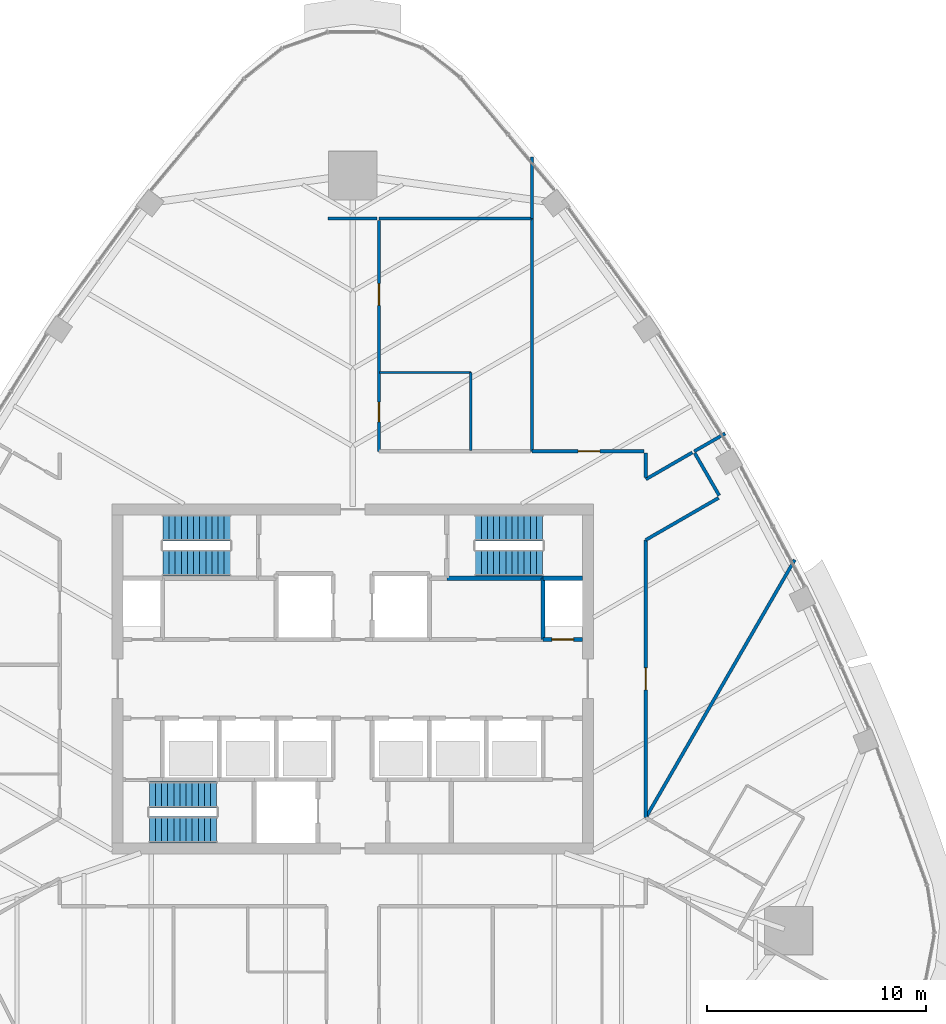
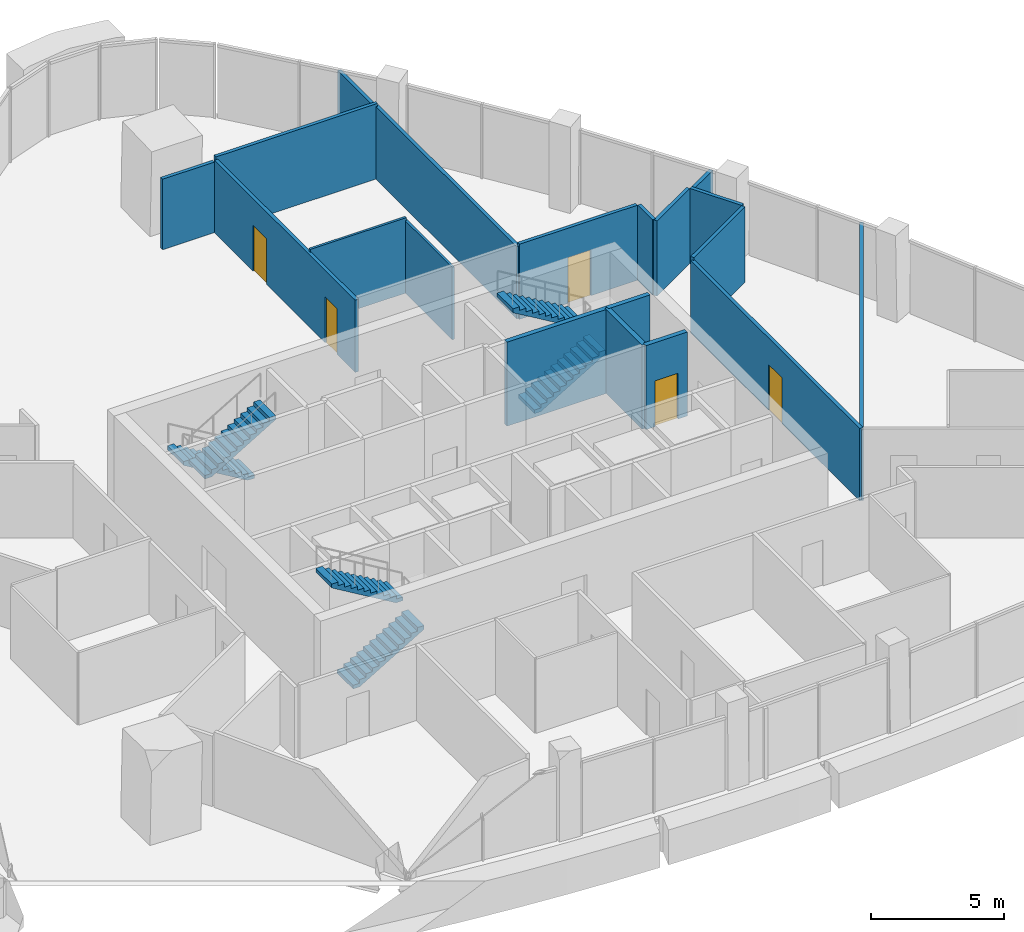
# One storey, part 11 of 15: 19 walls, 6 stair flights, 5 doors, 5 openings, 3 elements without a shape of their own.
"""IFC4 building model written with IfcOpenShell, lengths in metres."""

from ifc_helpers import new_model, si_unit, direction, frame, frame_2d, origin, place, context, subcontext, project, spatial, polyline, rectangle, outline, extrude, material, layer, layer_set, type_object, element, fill, aggregate, save


model = new_model("IFC4")

# Units and contexts
model_context = context("Model", 3, precision=1e-05, world=origin(), true_north=direction((0.0, 1.0)))
body_context = subcontext(model_context, "Body", "Model", "MODEL_VIEW")
ifc_project = project(units=[si_unit("LENGTHUNIT", "METRE"), si_unit("AREAUNIT", "SQUARE_METRE"), si_unit("VOLUMEUNIT", "CUBIC_METRE"), si_unit("PLANEANGLEUNIT", "RADIAN"), si_unit("MASSUNIT", "GRAM", prefix="KILO")], contexts=[model_context])

# Site, building, storey
site_placement = place(None, origin())
site = spatial("IfcSite", under=ifc_project, at=site_placement, CompositionType="ELEMENT")
building_placement = place(site_placement, origin())
building = spatial("IfcBuilding", under=site, at=building_placement, Name="Sierra Prisma Convention Tower", CompositionType="ELEMENT")
storey_placement = place(building_placement, frame((0.0, 0.0, 315.0)))
storey = spatial("IfcBuildingStorey", under=building, at=storey_placement, Name="L72", CompositionType="ELEMENT", Elevation=315.0)

# Walls
ifc_material_1 = material(Name="Gypsum board partition", Category="gypsum")
ifc_layer_1 = layer(ifc_material_1, 0.10009765625)
ifc_layer_set_1 = layer_set([ifc_layer_1], Name="Bathroom partition 100")
wall_type_1 = type_object("IfcWallType", Name="Bathroom partition 100", PredefinedType="PARTITIONING", material=ifc_layer_set_1)
wall_1_placement = place(storey_placement, frame((1.22998046875, 14.0, 0.0), z_axis=(0.0, 0.0, 1.0), x_axis=(1.0, 0.0, 0.0)))
element("IfcWall", 1, at=wall_1_placement, inside=storey, type_object=wall_type_1, Name="Partition L72 bath 6", PredefinedType="PARTITIONING", context=body_context, shape_type="SweptSolid", body=[
    extrude(rectangle(XDim=4.169921875, YDim=0.10009765625, at=frame_2d((2.0849609375, 0.0))), origin(), (0.0, 0.0, 1.0), 3.449951171875),
])
wall_2_placement = place(storey_placement, frame((5.39990234375, 14.0, 0.0), z_axis=(0.0, 0.0, 1.0), x_axis=(0.0, -1.0, 0.0)))
element("IfcWall", 2, at=wall_2_placement, inside=storey, type_object=wall_type_1, Name="Partition L72 bath 7", PredefinedType="PARTITIONING", context=body_context, shape_type="SweptSolid", body=[
    extrude(rectangle(XDim=3.570068359375, YDim=0.10009765625, at=frame_2d((1.78515625, 0.0))), origin(), (0.0, 0.0, 1.0), 3.31689453125),
])
ifc_material_2 = material(Name="Concrete C30/37", Category="concrete")
ifc_layer_2 = layer(ifc_material_2, 0.199951171875)
ifc_layer_set_2 = layer_set([ifc_layer_2], Name="Core wall RC 200 C30/37")
wall_type_2 = type_object("IfcWallType", Name="Core wall RC 200 C30/37", PredefinedType="SOLIDWALL", material=ifc_layer_set_2)
wall_3_placement = place(storey_placement, frame((8.699951171875, 4.60009765625, 0.0), z_axis=(0.0, 0.0, 1.0), x_axis=(-1.0, 0.0, 0.0)))
element("IfcWall", 3, at=wall_3_placement, inside=storey, type_object=wall_type_2, Name="Core wall L72 46", PredefinedType="SOLIDWALL", context=body_context, shape_type="SweptSolid", body=[
    extrude(rectangle(XDim=4.39990234375, YDim=0.199951171875, at=frame_2d((2.199951171875, 0.0))), origin(), (0.0, 0.0, 1.0), 3.85009765625),
])

# Wall, opening, door
wall_4_placement = place(storey_placement, frame((10.5, 1.800048828125, 0.0), z_axis=(0.0, 0.0, 1.0), x_axis=(-1.0, 0.0, 0.0)))
wall_4 = element("IfcWall", 4, at=wall_4_placement, inside=storey, type_object=wall_type_2, Name="Core wall L72 56", PredefinedType="SOLIDWALL", context=body_context, shape_type="SweptSolid", body=[
    extrude(rectangle(XDim=1.800048828125, YDim=0.199951171875, at=frame_2d((0.89990234375, 0.0))), origin(), (0.0, 0.0, 1.0), 3.85009765625),
])
opening_1_placement = place(wall_4_placement, frame((0.39990234375, 0.0, 0.0)))
opening_1 = element("IfcOpeningElement", 5, at=opening_1_placement, cuts=wall_4, Name="Opening L72-D014", PredefinedType="OPENING", context=body_context, shape_type="SweptSolid", body=[
    extrude(rectangle(XDim=1.0, YDim=2.10009765625, at=frame_2d((0.5, 1.050048828125))), frame((0.0, 0.10009765625, 0.0), z_axis=(0.0, -1.0, 0.0), x_axis=(1.0, 0.0, 0.0)), (0.0, 0.0, 1.0), 0.199951171875),
])
ifc_material_3 = material(Name="Steel fire door leaf", Category="steel")
door_type_1 = type_object("IfcDoorType", Name="Door 1000x2100 FD60S", OperationType="SINGLE_SWING_LEFT", PredefinedType="DOOR", material=ifc_material_3)
door_1_placement = place(opening_1_placement, origin())
door_1 = element("IfcDoor", 6, at=door_1_placement, inside=storey, type_object=door_type_1, Name="Door L72 30", OperationType="SINGLE_SWING_LEFT", OverallHeight=2.10009765625, OverallWidth=1.0, PredefinedType="DOOR", context=body_context, shape_type="SweptSolid", body=[
    extrude(rectangle(XDim=1.0, YDim=2.10009765625, at=frame_2d((0.5, 1.050048828125))), frame((0.0, 0.02490234375, 0.0), z_axis=(0.0, -1.0, 0.0), x_axis=(1.0, 0.0, 0.0)), (0.0, 0.0, 1.0), 0.050048828125),
])
fill(opening_1, door_1)

# Walls
wall_5_placement = place(storey_placement, frame((8.699951171875, 1.800048828125, 0.0), z_axis=(0.0, 0.0, 1.0), x_axis=(0.0, 1.0, 0.0)))
element("IfcWall", 7, at=wall_5_placement, inside=storey, type_object=wall_type_2, Name="Core wall L72 57", PredefinedType="SOLIDWALL", context=body_context, shape_type="SweptSolid", body=[
    extrude(rectangle(XDim=2.800048828125, YDim=0.199951171875, at=frame_2d((1.39990234375, 0.0))), origin(), (0.0, 0.0, 1.0), 3.85009765625),
])
wall_6_placement = place(storey_placement, frame((10.5, 4.60009765625, 0.0), z_axis=(0.0, 0.0, 1.0), x_axis=(-1.0, 0.0, 0.0)))
element("IfcWall", 8, at=wall_6_placement, inside=storey, type_object=wall_type_2, Name="Core wall L72 58", PredefinedType="SOLIDWALL", context=body_context, shape_type="SweptSolid", body=[
    extrude(rectangle(XDim=1.800048828125, YDim=0.199951171875, at=frame_2d((0.89990234375, 0.0))), origin(), (0.0, 0.0, 1.0), 3.85009765625),
])
ifc_material_4 = material(Name="Gypsum board partition", Category="gypsum")
ifc_layer_3 = layer(ifc_material_4, 0.14990234375)
ifc_layer_set_3 = layer_set([ifc_layer_3], Name="Corridor wall 150 gypsum EI 60")
wall_type_3 = type_object("IfcWallType", Name="Corridor wall 150 gypsum EI 60", PredefinedType="PARTITIONING", material=ifc_layer_set_3)
wall_7_placement = place(storey_placement, frame((1.1201171875, 21.0439453125, 0.0), z_axis=(0.0, 0.0, 1.0), x_axis=(-1.0, 0.0, 0.0)))
element("IfcWall", 9, at=wall_7_placement, inside=storey, type_object=wall_type_3, Name="Partition L72 corr 13", PredefinedType="PARTITIONING", context=body_context, shape_type="SweptSolid", body=[
    extrude(rectangle(XDim=2.240234375, YDim=0.14990234375, at=frame_2d((1.1201171875, 0.0))), origin(), (0.0, 0.0, 1.0), 3.23291015625),
])

# Wall, openings, doors
wall_8_placement = place(storey_placement, frame((1.199951171875, 10.39990234375, 0.0), z_axis=(0.0, 0.0, 1.0), x_axis=(0.0, 1.0, 0.0)))
wall_8 = element("IfcWall", 10, at=wall_8_placement, inside=storey, type_object=wall_type_3, Name="Partition L72 corr 17", PredefinedType="PARTITIONING", context=body_context, shape_type="SweptSolid", body=[
    extrude(rectangle(XDim=10.56396484375, YDim=0.14990234375, at=frame_2d((5.281982421875, 0.0))), origin(), (0.0, 0.0, 1.0), 3.31689453125),
])
opening_2_placement = place(wall_8_placement, frame((1.35009765625, 0.0, 0.0)))
opening_2 = element("IfcOpeningElement", 11, at=opening_2_placement, cuts=wall_8, Name="Opening L72-D025", PredefinedType="OPENING", context=body_context, shape_type="SweptSolid", body=[
    extrude(rectangle(XDim=0.89990234375, YDim=2.10009765625, at=frame_2d((0.449951171875, 1.050048828125))), frame((0.0, 0.074951171875, 0.0), z_axis=(0.0, -1.0, 0.0), x_axis=(1.0, 0.0, 0.0)), (0.0, 0.0, 1.0), 0.14990234375),
])
opening_3_placement = place(wall_8_placement, frame((6.671875, 0.0, 0.0)))
opening_3 = element("IfcOpeningElement", 12, at=opening_3_placement, cuts=wall_8, Name="Opening L72-D026", PredefinedType="OPENING", context=body_context, shape_type="SweptSolid", body=[
    extrude(rectangle(XDim=1.0, YDim=2.10009765625, at=frame_2d((0.5, 1.050048828125))), frame((0.0, 0.074951171875, 0.0), z_axis=(0.0, -1.0, 0.0), x_axis=(1.0, 0.0, 0.0)), (0.0, 0.0, 1.0), 0.14990234375),
])
ifc_material_5 = material(Name="Steel fire door leaf", Category="steel")
door_type_2 = type_object("IfcDoorType", Name="Door 1000x2100 FD30S", OperationType="SINGLE_SWING_LEFT", PredefinedType="DOOR", material=ifc_material_5)
door_2_placement = place(opening_3_placement, origin())
door_2 = element("IfcDoor", 13, at=door_2_placement, inside=storey, type_object=door_type_2, Name="Door L72 4", OperationType="SINGLE_SWING_LEFT", OverallHeight=2.10009765625, OverallWidth=1.0, PredefinedType="DOOR", context=body_context, shape_type="SweptSolid", body=[
    extrude(rectangle(XDim=1.0, YDim=2.10009765625, at=frame_2d((0.5, 1.050048828125))), frame((0.0, 0.02490234375, 0.0), z_axis=(0.0, -1.0, 0.0), x_axis=(1.0, 0.0, 0.0)), (0.0, 0.0, 1.0), 0.050048828125),
])
fill(opening_3, door_2)
ifc_material_6 = material(Name="Steel fire door leaf", Category="steel")
door_type_3 = type_object("IfcDoorType", Name="Door 900x2100 FD30S", OperationType="SINGLE_SWING_LEFT", PredefinedType="DOOR", material=ifc_material_6)
door_3_placement = place(opening_2_placement, origin())
door_3 = element("IfcDoor", 14, at=door_3_placement, inside=storey, type_object=door_type_3, Name="Door L72 3", OperationType="SINGLE_SWING_LEFT", OverallHeight=2.10009765625, OverallWidth=0.89990234375, PredefinedType="DOOR", context=body_context, shape_type="SweptSolid", body=[
    extrude(rectangle(XDim=0.89990234375, YDim=2.10009765625, at=frame_2d((0.449951171875, 1.050048828125))), frame((0.0, 0.02490234375, 0.0), z_axis=(0.0, -1.0, 0.0), x_axis=(1.0, 0.0, 0.0)), (0.0, 0.0, 1.0), 0.050048828125),
])
fill(opening_2, door_3)

# Wall, opening, door
wall_9_placement = place(storey_placement, frame((13.320068359375, 10.39990234375, 0.0), z_axis=(0.0, 0.0, 1.0), x_axis=(-1.0, 0.0, 0.0)))
wall_9 = element("IfcWall", 15, at=wall_9_placement, inside=storey, type_object=wall_type_3, Name="Partition L72 corr 18", PredefinedType="PARTITIONING", context=body_context, shape_type="SweptSolid", body=[
    extrude(rectangle(XDim=5.1201171875, YDim=0.14990234375, at=frame_2d((2.56005859375, 0.0))), origin(), (0.0, 0.0, 1.0), 3.443115234375),
])
opening_4_placement = place(wall_9_placement, frame((2.02001953125, 0.0, 0.0)))
opening_4 = element("IfcOpeningElement", 16, at=opening_4_placement, cuts=wall_9, Name="Opening L72-D024", PredefinedType="OPENING", context=body_context, shape_type="SweptSolid", body=[
    extrude(rectangle(XDim=1.0, YDim=2.10009765625, at=frame_2d((0.5, 1.050048828125))), frame((0.0, 0.074951171875, 0.0), z_axis=(0.0, -1.0, 0.0), x_axis=(1.0, 0.0, 0.0)), (0.0, 0.0, 1.0), 0.14990234375),
])
door_4_placement = place(opening_4_placement, origin())
door_4 = element("IfcDoor", 17, at=door_4_placement, inside=storey, type_object=door_type_2, Name="Door L72 2", OperationType="SINGLE_SWING_LEFT", OverallHeight=2.10009765625, OverallWidth=1.0, PredefinedType="DOOR", context=body_context, shape_type="SweptSolid", body=[
    extrude(rectangle(XDim=1.0, YDim=2.10009765625, at=frame_2d((0.5, 1.050048828125))), frame((0.0, 0.02490234375, 0.0), z_axis=(0.0, -1.0, 0.0), x_axis=(1.0, 0.0, 0.0)), (0.0, 0.0, 1.0), 0.050048828125),
])
fill(opening_4, door_4)

wall_10_placement = place(storey_placement, frame((13.39990234375, -6.350830078125, 0.0), z_axis=(0.0, 0.0, 1.0), x_axis=(0.0, 1.0, 0.0)))
wall_10 = element("IfcWall", 18, at=wall_10_placement, inside=storey, type_object=wall_type_3, Name="Partition L72 corr 21", PredefinedType="PARTITIONING", context=body_context, shape_type="SweptSolid", body=[
    extrude(rectangle(XDim=12.70166015625, YDim=0.14990234375, at=frame_2d((6.350830078125, 0.0))), origin(), (0.0, 0.0, 1.0), 3.31689453125),
])
opening_5_placement = place(wall_10_placement, frame((5.850830078125, 0.0, 0.0)))
opening_5 = element("IfcOpeningElement", 19, at=opening_5_placement, cuts=wall_10, Name="Opening L72-D023", PredefinedType="OPENING", context=body_context, shape_type="SweptSolid", body=[
    extrude(rectangle(XDim=1.0, YDim=2.10009765625, at=frame_2d((0.5, 1.050048828125))), frame((0.0, 0.074951171875, 0.0), z_axis=(0.0, -1.0, 0.0), x_axis=(1.0, 0.0, 0.0)), (0.0, 0.0, 1.0), 0.14990234375),
])
door_5_placement = place(opening_5_placement, origin())
door_5 = element("IfcDoor", 20, at=door_5_placement, inside=storey, type_object=door_type_2, Name="Door L72 1", OperationType="SINGLE_SWING_RIGHT", OverallHeight=2.10009765625, OverallWidth=1.0, PredefinedType="DOOR", context=body_context, shape_type="SweptSolid", body=[
    extrude(rectangle(XDim=1.0, YDim=2.10009765625, at=frame_2d((0.5, 1.050048828125))), frame((0.0, 0.02490234375, 0.0), z_axis=(0.0, -1.0, 0.0), x_axis=(1.0, 0.0, 0.0)), (0.0, 0.0, 1.0), 0.050048828125),
])
fill(opening_5, door_5)

# Walls
wall_11_placement = place(storey_placement, frame((13.39990234375, 6.350830078125, 0.0), z_axis=(0.0, 0.0, 1.0), x_axis=(0.866021594059, 0.50000659858, 0.0)))
element("IfcWall", 21, at=wall_11_placement, inside=storey, type_object=wall_type_3, Name="Partition L72 corr 22", PredefinedType="PARTITIONING", context=body_context, shape_type="SweptSolid", body=[
    extrude(rectangle(XDim=3.8427734375, YDim=0.14990234375, at=frame_2d((1.92138671875, 0.0))), origin(), (0.0, 0.0, 1.0), 3.449951171875),
])
wall_12_placement = place(storey_placement, frame((15.52783203125, 10.3505859375, 0.0), z_axis=(0.0, 0.0, 1.0), x_axis=(-0.866033360935, -0.499986217557, 0.0)))
element("IfcWall", 22, at=wall_12_placement, inside=storey, type_object=wall_type_3, Name="Partition L72 corr 24", PredefinedType="PARTITIONING", context=body_context, shape_type="SweptSolid", body=[
    extrude(rectangle(XDim=2.45703125, YDim=0.14990234375, at=frame_2d((1.228515625, 0.0))), origin(), (0.0, 0.0, 1.0), 3.449951171875),
])
wall_13_placement = place(storey_placement, frame((13.39990234375, 9.213623046875, 0.0), z_axis=(0.0, 0.0, 1.0), x_axis=(0.0, 1.0, 0.0)))
element("IfcWall", 23, at=wall_13_placement, inside=storey, type_object=wall_type_3, Name="Partition L72 corr 25", PredefinedType="PARTITIONING", context=body_context, shape_type="SweptSolid", body=[
    extrude(rectangle(XDim=1.1064453125, YDim=0.14990234375, at=frame_2d((0.55322265625, 0.0))), origin(), (0.0, 0.0, 1.0), 3.449951171875),
])
wall_14_placement = place(storey_placement, frame((16.757080078125, 8.381591796875, 0.0), z_axis=(0.0, 0.0, 1.0), x_axis=(-0.49999608499, 0.866027664105, 0.0)))
element("IfcWall", 24, at=wall_14_placement, inside=storey, type_object=wall_type_3, Name="Partition L72 corr 26", PredefinedType="PARTITIONING", context=body_context, shape_type="SweptSolid", body=[
    extrude(rectangle(XDim=2.23974609375, YDim=0.14990234375, at=frame_2d((1.119873046875, 0.0))), origin(), (0.0, 0.0, 1.0), 3.449951171875),
])
ifc_material_7 = material(Name="Gypsum board partition", Category="gypsum")
ifc_layer_4 = layer(ifc_material_7, 0.14990234375)
ifc_layer_set_4 = layer_set([ifc_layer_4], Name="Party wall 150 gypsum")
wall_type_4 = type_object("IfcWallType", Name="Party wall 150 gypsum", PredefinedType="PARTITIONING", material=ifc_layer_set_4)
wall_15_placement = place(storey_placement, frame((1.199951171875, 21.0439453125, 0.0), z_axis=(0.0, 0.0, 1.0), x_axis=(1.0, 0.0, 0.0)))
element("IfcWall", 25, at=wall_15_placement, inside=storey, type_object=wall_type_4, Name="Partition L72 party 11", PredefinedType="PARTITIONING", context=body_context, shape_type="SweptSolid", body=[
    extrude(rectangle(XDim=7.0, YDim=0.14990234375, at=frame_2d((3.5, 0.0))), origin(), (0.0, 0.0, 1.0), 3.443115234375),
])
wall_16_placement = place(storey_placement, frame((8.199951171875, 10.39990234375, 0.0), z_axis=(0.0, 0.0, 1.0), x_axis=(0.0, 1.0, 0.0)))
element("IfcWall", 26, at=wall_16_placement, inside=storey, type_object=wall_type_4, Name="Partition L72 party 12", PredefinedType="PARTITIONING", context=body_context, shape_type="SweptSolid", body=[
    extrude(rectangle(XDim=10.64404296875, YDim=0.14990234375, at=frame_2d((5.322021484375, 0.0))), origin(), (0.0, 0.0, 1.0), 3.31689453125),
])
wall_17_placement = place(storey_placement, frame((8.199951171875, 21.0439453125, 0.0), z_axis=(0.0, 0.0, 1.0), x_axis=(0.0, 1.0, 0.0)))
element("IfcWall", 27, at=wall_17_placement, inside=storey, type_object=wall_type_4, Name="Partition L72 party 13", PredefinedType="PARTITIONING", context=body_context, shape_type="SweptSolid", body=[
    extrude(rectangle(XDim=2.81005859375, YDim=0.14990234375, at=frame_2d((1.405029296875, 0.0))), origin(), (0.0, 0.0, 1.0), 3.23388671875),
])
wall_18_placement = place(storey_placement, frame((13.39990234375, -6.350830078125, 0.0), z_axis=(0.0, 0.0, 1.0), x_axis=(0.500002396138, 0.866024020369, 0.0)))
element("IfcWall", 28, at=wall_18_placement, inside=storey, type_object=wall_type_4, Name="Partition L72 party 14", PredefinedType="PARTITIONING", context=body_context, shape_type="SweptSolid", body=[
    extrude(rectangle(XDim=13.61376953125, YDim=0.14990234375, at=frame_2d((6.806884765625, 0.0))), origin(), (0.0, 0.0, 1.0), 3.23388671875),
])
wall_19_placement = place(storey_placement, frame((17.02490234375, 11.215087890625, 0.0), z_axis=(0.0, 0.0, 1.0), x_axis=(-0.865976063253, -0.500085450571, 0.0)))
element("IfcWall", 29, at=wall_19_placement, inside=storey, type_object=wall_type_4, Name="Partition L72 party 15", PredefinedType="PARTITIONING", context=body_context, shape_type="SweptSolid", body=[
    extrude(rectangle(XDim=1.630126953125, YDim=0.14990234375, at=frame_2d((0.81494140625, 0.0))), origin(), (0.0, 0.0, 1.0), 3.23388671875),
])

# Stair, stair flights
ifc_material_8 = material(Name="Concrete C30/37", Category="concrete")
stair_type = type_object("IfcStairType", Name="Stair dog-leg 1200 RC", PredefinedType="HALF_TURN_STAIR", material=ifc_material_8)
stair_1_placement = place(storey_placement, origin())
stair_1 = element("IfcStair", 30, at=stair_1_placement, inside=storey, type_object=stair_type, Name="L72 S1", PredefinedType="HALF_TURN_STAIR")
ifc_material_9 = material(Name="Concrete C30/37", Category="concrete")
stair_flight_type = type_object("IfcStairFlightType", Name="Stair flight RC 1200", PredefinedType="STRAIGHT", material=ifc_material_9)
stair_flight_1_placement = place(storey_placement, frame((-9.300048828125, -6.89990234375, 0.0), z_axis=(0.0, 0.0, 1.0), x_axis=(1.0, 0.0, 0.0)))
stair_flight_1 = element("IfcStairFlight", 31, at=stair_flight_1_placement, type_object=stair_flight_type, Name="S1 flight 1", NumberOfRisers=12, NumberOfTreads=11, PredefinedType="STRAIGHT", RiserHeight=0.166666667, TreadLength=0.28, context=body_context, shape_type="SweptSolid", body=[
    extrude(outline(polyline([(0.0, 0.0), (0.0, 0.166748046875), (0.280029296875, 0.166748046875), (0.280029296875, 0.333251953125), (0.56005859375, 0.333251953125), (0.56005859375, 0.5), (0.840087890625, 0.5), (0.840087890625, 0.666748046875), (1.1201171875, 0.666748046875), (1.1201171875, 0.833251953125), (1.39990234375, 0.833251953125), (1.39990234375, 1.0), (1.679931640625, 1.0), (1.679931640625, 1.166748046875), (1.9599609375, 1.166748046875), (1.9599609375, 1.333251953125), (2.239990234375, 1.333251953125), (2.239990234375, 1.5), (2.52001953125, 1.5), (2.52001953125, 1.666748046875), (2.800048828125, 1.666748046875), (2.800048828125, 1.833251953125), (3.080078125, 1.833251953125), (3.080078125, 2.0), (3.080078125, 1.658935546875), (0.29296875, 0.0), (0.0, 0.0)])), frame((0.0, 0.60009765625, 0.0), z_axis=(0.0, -1.0, 0.0), x_axis=(1.0, 0.0, 0.0)), (0.0, 0.0, 1.0), 1.199951171875),
])
stair_flight_2_placement = place(storey_placement, frame((-6.219970703125, -5.300048828125, 2.0), z_axis=(0.0, 0.0, 1.0), x_axis=(-1.0, 0.0, 0.0)))
stair_flight_2 = element("IfcStairFlight", 32, at=stair_flight_2_placement, type_object=stair_flight_type, Name="S1 flight 2", NumberOfRisers=12, NumberOfTreads=11, PredefinedType="STRAIGHT", RiserHeight=0.166666667, TreadLength=0.28, context=body_context, shape_type="SweptSolid", body=[
    extrude(outline(polyline([(0.0, 0.0), (0.0, 0.166748046875), (0.280029296875, 0.166748046875), (0.280029296875, 0.333251953125), (0.56005859375, 0.333251953125), (0.56005859375, 0.5), (0.840087890625, 0.5), (0.840087890625, 0.666748046875), (1.1201171875, 0.666748046875), (1.1201171875, 0.833251953125), (1.39990234375, 0.833251953125), (1.39990234375, 1.0), (1.679931640625, 1.0), (1.679931640625, 1.166748046875), (1.9599609375, 1.166748046875), (1.9599609375, 1.333251953125), (2.239990234375, 1.333251953125), (2.239990234375, 1.5), (2.52001953125, 1.5), (2.52001953125, 1.666748046875), (2.800048828125, 1.666748046875), (2.800048828125, 1.833251953125), (3.080078125, 1.833251953125), (3.080078125, 2.0), (3.080078125, 1.658935546875), (0.29296875, 0.0), (0.0, 0.0)])), frame((0.0, 0.60009765625, 0.0), z_axis=(0.0, -1.0, 0.0), x_axis=(1.0, 0.0, 0.0)), (0.0, 0.0, 1.0), 1.199951171875),
])
aggregate(stair_1, [stair_flight_1, stair_flight_2])

stair_2_placement = place(storey_placement, origin())
stair_2 = element("IfcStair", 33, at=stair_2_placement, inside=storey, type_object=stair_type, Name="L72 S3", PredefinedType="HALF_TURN_STAIR")
stair_flight_3_placement = place(storey_placement, frame((-5.60009765625, 6.89990234375, 0.0), z_axis=(0.0, 0.0, 1.0), x_axis=(-1.0, 0.0, 0.0)))
stair_flight_3 = element("IfcStairFlight", 34, at=stair_flight_3_placement, type_object=stair_flight_type, Name="S3 flight 1", NumberOfRisers=12, NumberOfTreads=11, PredefinedType="STRAIGHT", RiserHeight=0.166666667, TreadLength=0.28, context=body_context, shape_type="SweptSolid", body=[
    extrude(outline(polyline([(0.0, 0.0), (0.0, 0.166748046875), (0.280029296875, 0.166748046875), (0.280029296875, 0.333251953125), (0.56005859375, 0.333251953125), (0.56005859375, 0.5), (0.840087890625, 0.5), (0.840087890625, 0.666748046875), (1.1201171875, 0.666748046875), (1.1201171875, 0.833251953125), (1.39990234375, 0.833251953125), (1.39990234375, 1.0), (1.679931640625, 1.0), (1.679931640625, 1.166748046875), (1.9599609375, 1.166748046875), (1.9599609375, 1.333251953125), (2.239990234375, 1.333251953125), (2.239990234375, 1.5), (2.52001953125, 1.5), (2.52001953125, 1.666748046875), (2.800048828125, 1.666748046875), (2.800048828125, 1.833251953125), (3.080078125, 1.833251953125), (3.080078125, 2.0), (3.080078125, 1.658935546875), (0.29296875, 0.0), (0.0, 0.0)])), frame((0.0, 0.60009765625, 0.0), z_axis=(0.0, -1.0, 0.0), x_axis=(1.0, 0.0, 0.0)), (0.0, 0.0, 1.0), 1.199951171875),
])
stair_flight_4_placement = place(storey_placement, frame((-8.679931640625, 5.300048828125, 2.0), z_axis=(0.0, 0.0, 1.0), x_axis=(1.0, 0.0, 0.0)))
stair_flight_4 = element("IfcStairFlight", 35, at=stair_flight_4_placement, type_object=stair_flight_type, Name="S3 flight 2", NumberOfRisers=12, NumberOfTreads=11, PredefinedType="STRAIGHT", RiserHeight=0.166666667, TreadLength=0.28, context=body_context, shape_type="SweptSolid", body=[
    extrude(outline(polyline([(0.0, 0.0), (0.0, 0.166748046875), (0.280029296875, 0.166748046875), (0.280029296875, 0.333251953125), (0.56005859375, 0.333251953125), (0.56005859375, 0.5), (0.840087890625, 0.5), (0.840087890625, 0.666748046875), (1.1201171875, 0.666748046875), (1.1201171875, 0.833251953125), (1.39990234375, 0.833251953125), (1.39990234375, 1.0), (1.679931640625, 1.0), (1.679931640625, 1.166748046875), (1.9599609375, 1.166748046875), (1.9599609375, 1.333251953125), (2.239990234375, 1.333251953125), (2.239990234375, 1.5), (2.52001953125, 1.5), (2.52001953125, 1.666748046875), (2.800048828125, 1.666748046875), (2.800048828125, 1.833251953125), (3.080078125, 1.833251953125), (3.080078125, 2.0), (3.080078125, 1.658935546875), (0.29296875, 0.0), (0.0, 0.0)])), frame((0.0, 0.60009765625, 0.0), z_axis=(0.0, -1.0, 0.0), x_axis=(1.0, 0.0, 0.0)), (0.0, 0.0, 1.0), 1.199951171875),
])
aggregate(stair_2, [stair_flight_3, stair_flight_4])

stair_3_placement = place(storey_placement, origin())
stair_3 = element("IfcStair", 36, at=stair_3_placement, inside=storey, type_object=stair_type, Name="L72 S4", PredefinedType="HALF_TURN_STAIR")
stair_flight_5_placement = place(storey_placement, frame((5.60009765625, 5.300048828125, 0.0), z_axis=(0.0, 0.0, 1.0), x_axis=(1.0, 0.0, 0.0)))
stair_flight_5 = element("IfcStairFlight", 37, at=stair_flight_5_placement, type_object=stair_flight_type, Name="S4 flight 1", NumberOfRisers=12, NumberOfTreads=11, PredefinedType="STRAIGHT", RiserHeight=0.166666667, TreadLength=0.28, context=body_context, shape_type="SweptSolid", body=[
    extrude(outline(polyline([(0.0, 0.0), (0.0, 0.166748046875), (0.280029296875, 0.166748046875), (0.280029296875, 0.333251953125), (0.56005859375, 0.333251953125), (0.56005859375, 0.5), (0.840087890625, 0.5), (0.840087890625, 0.666748046875), (1.1201171875, 0.666748046875), (1.1201171875, 0.833251953125), (1.39990234375, 0.833251953125), (1.39990234375, 1.0), (1.679931640625, 1.0), (1.679931640625, 1.166748046875), (1.9599609375, 1.166748046875), (1.9599609375, 1.333251953125), (2.239990234375, 1.333251953125), (2.239990234375, 1.5), (2.52001953125, 1.5), (2.52001953125, 1.666748046875), (2.800048828125, 1.666748046875), (2.800048828125, 1.833251953125), (3.080078125, 1.833251953125), (3.080078125, 2.0), (3.080078125, 1.658935546875), (0.29296875, 0.0), (0.0, 0.0)])), frame((0.0, 0.60009765625, 0.0), z_axis=(0.0, -1.0, 0.0), x_axis=(1.0, 0.0, 0.0)), (0.0, 0.0, 1.0), 1.199951171875),
])
stair_flight_6_placement = place(storey_placement, frame((8.679931640625, 6.89990234375, 2.0), z_axis=(0.0, 0.0, 1.0), x_axis=(-1.0, 0.0, 0.0)))
stair_flight_6 = element("IfcStairFlight", 38, at=stair_flight_6_placement, type_object=stair_flight_type, Name="S4 flight 2", NumberOfRisers=12, NumberOfTreads=11, PredefinedType="STRAIGHT", RiserHeight=0.166666667, TreadLength=0.28, context=body_context, shape_type="SweptSolid", body=[
    extrude(outline(polyline([(0.0, 0.0), (0.0, 0.166748046875), (0.280029296875, 0.166748046875), (0.280029296875, 0.333251953125), (0.56005859375, 0.333251953125), (0.56005859375, 0.5), (0.840087890625, 0.5), (0.840087890625, 0.666748046875), (1.1201171875, 0.666748046875), (1.1201171875, 0.833251953125), (1.39990234375, 0.833251953125), (1.39990234375, 1.0), (1.679931640625, 1.0), (1.679931640625, 1.166748046875), (1.9599609375, 1.166748046875), (1.9599609375, 1.333251953125), (2.239990234375, 1.333251953125), (2.239990234375, 1.5), (2.52001953125, 1.5), (2.52001953125, 1.666748046875), (2.800048828125, 1.666748046875), (2.800048828125, 1.833251953125), (3.080078125, 1.833251953125), (3.080078125, 2.0), (3.080078125, 1.658935546875), (0.29296875, 0.0), (0.0, 0.0)])), frame((0.0, 0.60009765625, 0.0), z_axis=(0.0, -1.0, 0.0), x_axis=(1.0, 0.0, 0.0)), (0.0, 0.0, 1.0), 1.199951171875),
])
aggregate(stair_3, [stair_flight_5, stair_flight_6])

save(model, "model.ifc")
